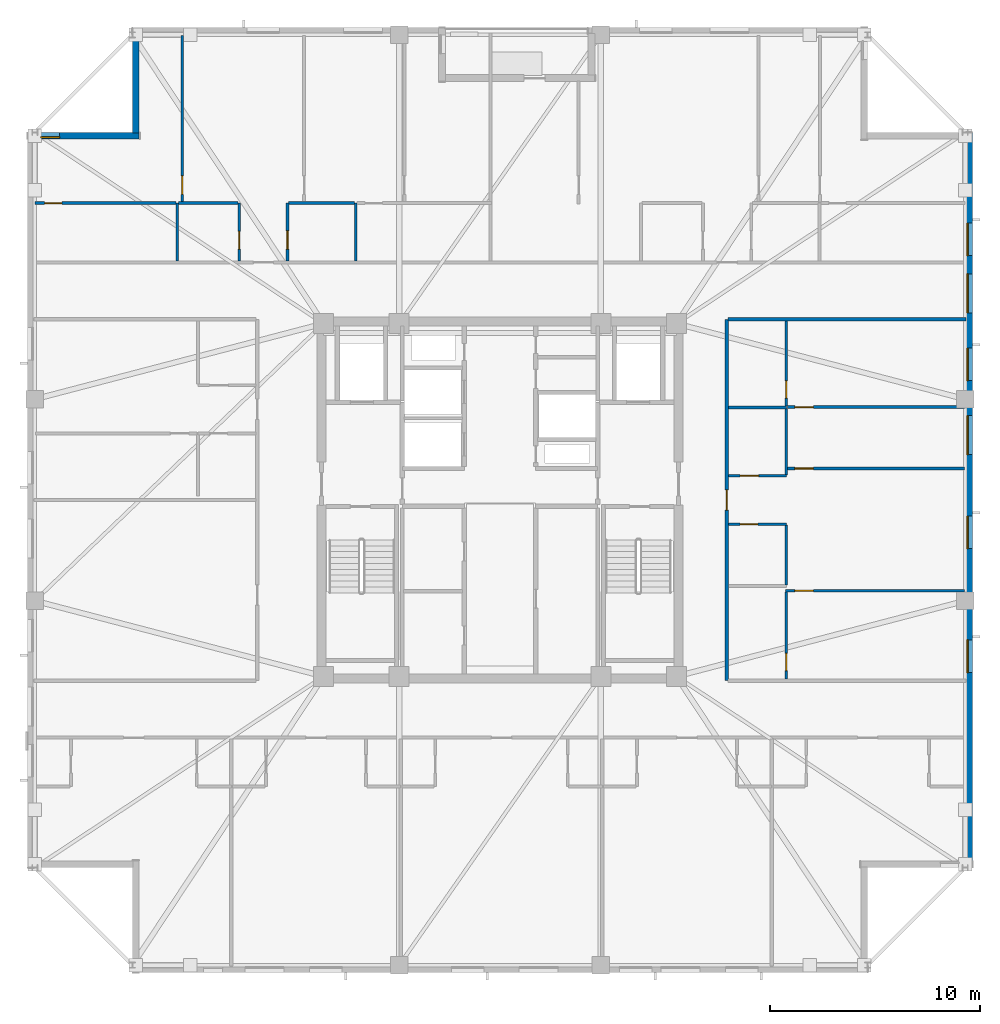
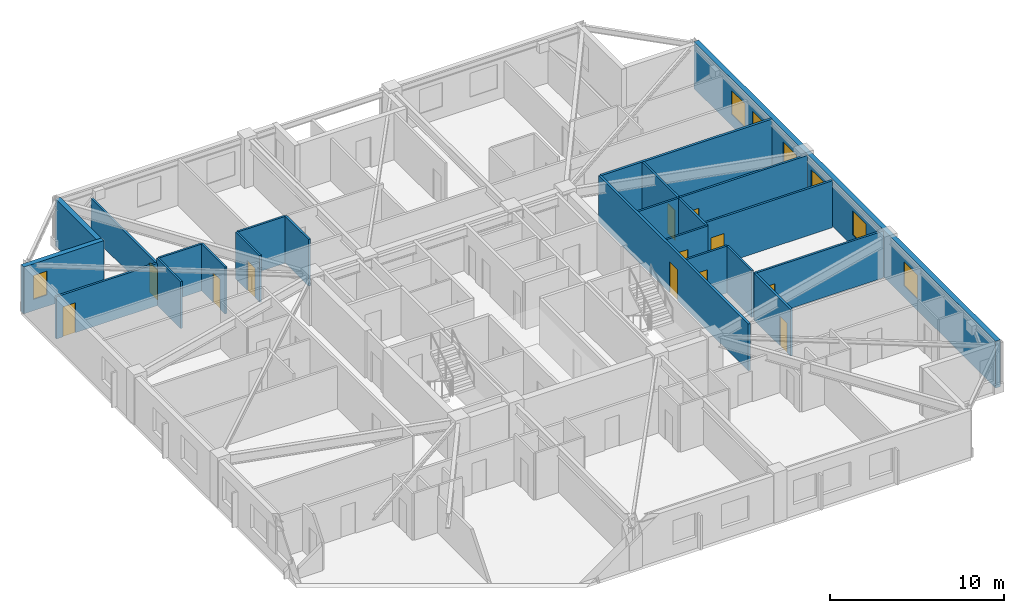
# One storey, part 10 of 17: 23 walls, 12 doors, 7 windows, 19 openings.
"""IFC4 building model written with IfcOpenShell, lengths in metres."""

from ifc_helpers import new_model, si_unit, direction, frame, frame_2d, origin, place, context, subcontext, project, spatial, rectangle, extrude, material, layer, layer_set, type_object, element, fill, save


model = new_model("IFC4")

# Units and contexts
model_context = context("Model", 3, precision=1e-05, world=origin(), true_north=direction((0.0, 1.0)))
body_context = subcontext(model_context, "Body", "Model", "MODEL_VIEW")
ifc_project = project(units=[si_unit("LENGTHUNIT", "METRE"), si_unit("AREAUNIT", "SQUARE_METRE"), si_unit("VOLUMEUNIT", "CUBIC_METRE"), si_unit("PLANEANGLEUNIT", "RADIAN"), si_unit("MASSUNIT", "GRAM", prefix="KILO")], contexts=[model_context])

# Site, building, storey
site_placement = place(None, origin())
site = spatial("IfcSite", under=ifc_project, at=site_placement, CompositionType="ELEMENT")
building_placement = place(site_placement, origin())
building = spatial("IfcBuilding", under=site, at=building_placement, Name="Cairnveth Concourse Tower", CompositionType="ELEMENT")
storey_placement = place(building_placement, frame((0.0, 0.0, 213.0)))
storey = spatial("IfcBuildingStorey", under=building, at=storey_placement, Name="L58", CompositionType="ELEMENT", Elevation=213.0)

# Wall, opening, door
ifc_material_1 = material(Name="Gypsum Plasterboard Partition", Category="gypsum")
ifc_layer_1 = layer(ifc_material_1, 0.159912109375)
ifc_layer_set_1 = layer_set([ifc_layer_1], Name="Gypsum Plasterboard Partition")
wall_type_1 = type_object("IfcWallType", Name="ACOUSTIC PARTY WALL 180", PredefinedType="PARTITIONING", material=ifc_layer_set_1)
wall_1_placement = place(storey_placement, frame((62.800048828125, 30.39990234375, 0.0), z_axis=(0.0, 0.0, 1.0), x_axis=(0.0, 1.0, 0.0)))
wall_1 = element("IfcWall", 1, at=wall_1_placement, inside=storey, type_object=wall_type_1, Name="Interior Wall IW-L58-038", PredefinedType="PARTITIONING", context=body_context, shape_type="SweptSolid", body=[
    extrude(rectangle(XDim=17.2001953125, YDim=0.159912109375, at=frame_2d((8.60009765625, 0.0))), origin(), (0.0, 0.0, 1.0), 3.2900390625),
])
opening_1_placement = place(wall_1_placement, frame((8.1201171875, 0.0, 0.0)))
opening_1 = element("IfcOpeningElement", 2, at=opening_1_placement, cuts=wall_1, Name="Opening ID10", PredefinedType="OPENING", context=body_context, shape_type="SweptSolid", body=[
    extrude(rectangle(XDim=0.9599609375, YDim=2.179931640625, at=frame_2d((0.47998046875, 1.08984375))), frame((0.0, 0.08984375, 0.0), z_axis=(0.0, -1.0, 0.0), x_axis=(1.0, 0.0, 0.0)), (0.0, 0.0, 1.0), 0.179931640625),
])
ifc_material_2 = material(Name="Solid Core Hardwood Timber Leaf", Category="wood")
door_type_1 = type_object("IfcDoorType", Name="FLAT ENTRANCE DOOR 960X2150", OperationType="NOTDEFINED", PredefinedType="DOOR", material=ifc_material_2)
door_1_placement = place(opening_1_placement, origin())
door_1 = element("IfcDoor", 3, at=door_1_placement, inside=storey, type_object=door_type_1, Name="Apartment L58E1 Entrance Door", OperationType="SINGLE_SWING_RIGHT", OverallHeight=2.179931640625, OverallWidth=0.9599609375, PredefinedType="DOOR", context=body_context, shape_type="SweptSolid", body=[
    extrude(rectangle(XDim=0.9599609375, YDim=2.179931640625, at=frame_2d((0.47998046875, 1.08984375))), frame((0.0, 0.02490234375, 0.0), z_axis=(0.0, -1.0, 0.0), x_axis=(1.0, 0.0, 0.0)), (0.0, 0.0, 1.0), 0.050048828125),
])
fill(opening_1, door_1)

# Wall
wall_2_placement = place(storey_placement, frame((62.864990234375, 47.60009765625, 0.0), z_axis=(0.0, 0.0, 1.0), x_axis=(1.0, 0.0, 0.0)))
element("IfcWall", 4, at=wall_2_placement, inside=storey, type_object=wall_type_1, Name="Interior Wall IW-L58-042", PredefinedType="PARTITIONING", context=body_context, shape_type="SweptSolid", body=[
    extrude(rectangle(XDim=11.330078125, YDim=0.159912109375, at=frame_2d((5.6650390625, 0.0))), origin(), (0.0, 0.0, 1.0), 3.2900390625),
])

# Wall, opening, door
ifc_layer_2 = layer(ifc_material_1, 0.139892578125)
ifc_layer_set_2 = layer_set([ifc_layer_2], Name="Gypsum Plasterboard Partition")
wall_type_2 = type_object("IfcWallType", Name="GYPSUM STUD PARTITION 140", PredefinedType="PARTITIONING", material=ifc_layer_set_2)
wall_3_placement = place(storey_placement, frame((36.8701171875, 53.18994140625, 0.0), z_axis=(0.0, 0.0, 1.0), x_axis=(0.0, 1.0, 0.0)))
wall_3 = element("IfcWall", 5, at=wall_3_placement, inside=storey, type_object=wall_type_2, Name="Interior Wall IW-L58-073", PredefinedType="PARTITIONING", context=body_context, shape_type="SweptSolid", body=[
    extrude(rectangle(XDim=7.93017578125, YDim=0.139892578125, at=frame_2d((3.965087890625, 0.0))), origin(), (0.0, 0.0, 1.0), 2.572998046875),
])
opening_2_placement = place(wall_3_placement, frame((0.360107421875, 0.0, 0.0)))
opening_2 = element("IfcOpeningElement", 6, at=opening_2_placement, cuts=wall_3, Name="Opening ID18", PredefinedType="OPENING", context=body_context, shape_type="SweptSolid", body=[
    extrude(rectangle(XDim=0.8798828125, YDim=2.10009765625, at=frame_2d((0.43994140625, 1.050048828125))), frame((0.0, 0.079833984375, 0.0), z_axis=(0.0, -1.0, 0.0), x_axis=(1.0, 0.0, 0.0)), (0.0, 0.0, 1.0), 0.159912109375),
])
door_type_2 = type_object("IfcDoorType", Name="INTERIOR SINGLE DOOR 880X2100", OperationType="NOTDEFINED", PredefinedType="DOOR", material=ifc_material_2)
door_2_placement = place(opening_2_placement, origin())
door_2 = element("IfcDoor", 7, at=door_2_placement, inside=storey, type_object=door_type_2, Name="L58N1 Master Bedroom Door", OperationType="SINGLE_SWING_RIGHT", OverallHeight=2.10009765625, OverallWidth=0.8798828125, PredefinedType="DOOR", context=body_context, shape_type="SweptSolid", body=[
    extrude(rectangle(XDim=0.8798828125, YDim=2.10009765625, at=frame_2d((0.43994140625, 1.050048828125))), frame((0.0, 0.02490234375, 0.0), z_axis=(0.0, -1.0, 0.0), x_axis=(1.0, 0.0, 0.0)), (0.0, 0.0, 1.0), 0.050048828125),
])
fill(opening_2, door_2)

wall_4_placement = place(storey_placement, frame((29.8701171875, 53.139892578125, 0.0), z_axis=(0.0, 0.0, 1.0), x_axis=(1.0, 0.0, 0.0)))
wall_4 = element("IfcWall", 8, at=wall_4_placement, inside=storey, type_object=wall_type_2, Name="Interior Wall IW-L58-074", PredefinedType="PARTITIONING", context=body_context, shape_type="SweptSolid", body=[
    extrude(rectangle(XDim=6.71240234375, YDim=0.139892578125, at=frame_2d((3.356201171875, 0.0))), origin(), (0.0, 0.0, 1.0), 2.9580078125),
])
opening_3_placement = place(wall_4_placement, frame((0.449951171875, 0.0, 0.0)))
opening_3 = element("IfcOpeningElement", 9, at=opening_3_placement, cuts=wall_4, Name="Opening ID22", PredefinedType="OPENING", context=body_context, shape_type="SweptSolid", body=[
    extrude(rectangle(XDim=0.820068359375, YDim=2.10009765625, at=frame_2d((0.41015625, 1.050048828125))), frame((0.0, 0.079833984375, 0.0), z_axis=(0.0, -1.0, 0.0), x_axis=(1.0, 0.0, 0.0)), (0.0, 0.0, 1.0), 0.159912109375),
])
door_type_3 = type_object("IfcDoorType", Name="INTERIOR WC DOOR 820X2100", OperationType="NOTDEFINED", PredefinedType="DOOR", material=ifc_material_2)
door_3_placement = place(opening_3_placement, origin())
door_3 = element("IfcDoor", 10, at=door_3_placement, inside=storey, type_object=door_type_3, Name="L58N1 Dressing Door", OperationType="SINGLE_SWING_LEFT", OverallHeight=2.10009765625, OverallWidth=0.820068359375, PredefinedType="DOOR", context=body_context, shape_type="SweptSolid", body=[
    extrude(rectangle(XDim=0.820068359375, YDim=2.10009765625, at=frame_2d((0.41015625, 1.050048828125))), frame((0.0, 0.02490234375, 0.0), z_axis=(0.0, -1.0, 0.0), x_axis=(1.0, 0.0, 0.0)), (0.0, 0.0, 1.0), 0.050048828125),
])
fill(opening_3, door_3)

wall_5_placement = place(storey_placement, frame((65.590087890625, 34.679931640625, 0.0), z_axis=(0.0, 0.0, 1.0), x_axis=(1.0, 0.0, 0.0)))
wall_5 = element("IfcWall", 11, at=wall_5_placement, inside=storey, type_object=wall_type_2, Name="Interior Wall IW-L58-101", PredefinedType="PARTITIONING", context=body_context, shape_type="SweptSolid", body=[
    extrude(rectangle(XDim=8.530029296875, YDim=0.139892578125, at=frame_2d((4.26513671875, 0.0))), origin(), (0.0, 0.0, 1.0), 3.2900390625),
])
opening_4_placement = place(wall_5_placement, frame((0.449951171875, 0.0, 0.0)))
opening_4 = element("IfcOpeningElement", 12, at=opening_4_placement, cuts=wall_5, Name="Opening ID18", PredefinedType="OPENING", context=body_context, shape_type="SweptSolid", body=[
    extrude(rectangle(XDim=0.8798828125, YDim=2.10009765625, at=frame_2d((0.43994140625, 1.050048828125))), frame((0.0, 0.079833984375, 0.0), z_axis=(0.0, -1.0, 0.0), x_axis=(1.0, 0.0, 0.0)), (0.0, 0.0, 1.0), 0.159912109375),
])
door_4_placement = place(opening_4_placement, origin())
door_4 = element("IfcDoor", 13, at=door_4_placement, inside=storey, type_object=door_type_2, Name="L58E1 Master Bedroom Door", OperationType="SINGLE_SWING_RIGHT", OverallHeight=2.10009765625, OverallWidth=0.8798828125, PredefinedType="DOOR", context=body_context, shape_type="SweptSolid", body=[
    extrude(rectangle(XDim=0.8798828125, YDim=2.10009765625, at=frame_2d((0.43994140625, 1.050048828125))), frame((0.0, 0.02490234375, 0.0), z_axis=(0.0, -1.0, 0.0), x_axis=(1.0, 0.0, 0.0)), (0.0, 0.0, 1.0), 0.050048828125),
])
fill(opening_4, door_4)

wall_6_placement = place(storey_placement, frame((65.6298828125, 30.465087890625, 0.0), z_axis=(0.0, 0.0, 1.0), x_axis=(0.0, 1.0, 0.0)))
wall_6 = element("IfcWall", 14, at=wall_6_placement, inside=storey, type_object=wall_type_2, Name="Interior Wall IW-L58-102", PredefinedType="PARTITIONING", context=body_context, shape_type="SweptSolid", body=[
    extrude(rectangle(XDim=4.159912109375, YDim=0.139892578125, at=frame_2d((2.080078125, 0.0))), origin(), (0.0, 0.0, 1.0), 3.2900390625),
])
opening_5_placement = place(wall_6_placement, frame((0.4150390625, 0.0, 0.0)))
opening_5 = element("IfcOpeningElement", 15, at=opening_5_placement, cuts=wall_6, Name="Opening ID22", PredefinedType="OPENING", context=body_context, shape_type="SweptSolid", body=[
    extrude(rectangle(XDim=0.820068359375, YDim=2.10009765625, at=frame_2d((0.41015625, 1.050048828125))), frame((0.0, 0.079833984375, 0.0), z_axis=(0.0, -1.0, 0.0), x_axis=(1.0, 0.0, 0.0)), (0.0, 0.0, 1.0), 0.159912109375),
])
door_5_placement = place(opening_5_placement, origin())
door_5 = element("IfcDoor", 16, at=door_5_placement, inside=storey, type_object=door_type_3, Name="L58E1 Dressing Door", OperationType="SINGLE_SWING_LEFT", OverallHeight=2.10009765625, OverallWidth=0.820068359375, PredefinedType="DOOR", context=body_context, shape_type="SweptSolid", body=[
    extrude(rectangle(XDim=0.820068359375, YDim=2.10009765625, at=frame_2d((0.41015625, 1.050048828125))), frame((0.0, 0.02490234375, 0.0), z_axis=(0.0, -1.0, 0.0), x_axis=(1.0, 0.0, 0.0)), (0.0, 0.0, 1.0), 0.050048828125),
])
fill(opening_5, door_5)

wall_7_placement = place(storey_placement, frame((65.679931640625, 43.419921875, 0.0), z_axis=(0.0, 0.0, 1.0), x_axis=(1.0, 0.0, 0.0)))
wall_7 = element("IfcWall", 17, at=wall_7_placement, inside=storey, type_object=wall_type_2, Name="Interior Wall IW-L58-103", PredefinedType="PARTITIONING", context=body_context, shape_type="SweptSolid", body=[
    extrude(rectangle(XDim=8.440185546875, YDim=0.139892578125, at=frame_2d((4.22021484375, 0.0))), origin(), (0.0, 0.0, 1.0), 3.2900390625),
])
opening_6_placement = place(wall_7_placement, frame((0.360107421875, 0.0, 0.0)))
opening_6 = element("IfcOpeningElement", 18, at=opening_6_placement, cuts=wall_7, Name="Opening ID18", PredefinedType="OPENING", context=body_context, shape_type="SweptSolid", body=[
    extrude(rectangle(XDim=0.8798828125, YDim=2.10009765625, at=frame_2d((0.43994140625, 1.050048828125))), frame((0.0, 0.079833984375, 0.0), z_axis=(0.0, -1.0, 0.0), x_axis=(1.0, 0.0, 0.0)), (0.0, 0.0, 1.0), 0.159912109375),
])
door_6_placement = place(opening_6_placement, origin())
door_6 = element("IfcDoor", 19, at=door_6_placement, inside=storey, type_object=door_type_2, Name="L58E1 Bedroom 2 Door", OperationType="SINGLE_SWING_RIGHT", OverallHeight=2.10009765625, OverallWidth=0.8798828125, PredefinedType="DOOR", context=body_context, shape_type="SweptSolid", body=[
    extrude(rectangle(XDim=0.8798828125, YDim=2.10009765625, at=frame_2d((0.43994140625, 1.050048828125))), frame((0.0, 0.02490234375, 0.0), z_axis=(0.0, -1.0, 0.0), x_axis=(1.0, 0.0, 0.0)), (0.0, 0.0, 1.0), 0.050048828125),
])
fill(opening_6, door_6)

wall_8_placement = place(storey_placement, frame((65.6298828125, 43.47509765625, 0.0), z_axis=(0.0, 0.0, 1.0), x_axis=(0.0, 1.0, 0.0)))
wall_8 = element("IfcWall", 20, at=wall_8_placement, inside=storey, type_object=wall_type_2, Name="Interior Wall IW-L58-104", PredefinedType="PARTITIONING", context=body_context, shape_type="SweptSolid", body=[
    extrude(rectangle(XDim=4.059814453125, YDim=0.139892578125, at=frame_2d((2.02978515625, 0.0))), origin(), (0.0, 0.0, 1.0), 3.2900390625),
])
opening_7_placement = place(wall_8_placement, frame((0.375, 0.0, 0.0)))
opening_7 = element("IfcOpeningElement", 21, at=opening_7_placement, cuts=wall_8, Name="Opening ID22", PredefinedType="OPENING", context=body_context, shape_type="SweptSolid", body=[
    extrude(rectangle(XDim=0.820068359375, YDim=2.10009765625, at=frame_2d((0.41015625, 1.050048828125))), frame((0.0, 0.079833984375, 0.0), z_axis=(0.0, -1.0, 0.0), x_axis=(1.0, 0.0, 0.0)), (0.0, 0.0, 1.0), 0.159912109375),
])
door_7_placement = place(opening_7_placement, origin())
door_7 = element("IfcDoor", 22, at=door_7_placement, inside=storey, type_object=door_type_3, Name="L58E1 Utility Door", OperationType="SINGLE_SWING_LEFT", OverallHeight=2.10009765625, OverallWidth=0.820068359375, PredefinedType="DOOR", context=body_context, shape_type="SweptSolid", body=[
    extrude(rectangle(XDim=0.820068359375, YDim=2.10009765625, at=frame_2d((0.41015625, 1.050048828125))), frame((0.0, 0.02490234375, 0.0), z_axis=(0.0, -1.0, 0.0), x_axis=(1.0, 0.0, 0.0)), (0.0, 0.0, 1.0), 0.050048828125),
])
fill(opening_7, door_7)

wall_9_placement = place(storey_placement, frame((65.679931640625, 40.5, 0.0), z_axis=(0.0, 0.0, 1.0), x_axis=(1.0, 0.0, 0.0)))
wall_9 = element("IfcWall", 23, at=wall_9_placement, inside=storey, type_object=wall_type_2, Name="Interior Wall IW-L58-105", PredefinedType="PARTITIONING", context=body_context, shape_type="SweptSolid", body=[
    extrude(rectangle(XDim=8.440185546875, YDim=0.139892578125, at=frame_2d((4.22021484375, 0.0))), origin(), (0.0, 0.0, 1.0), 3.2900390625),
])
opening_8_placement = place(wall_9_placement, frame((0.360107421875, 0.0, 0.0)))
opening_8 = element("IfcOpeningElement", 24, at=opening_8_placement, cuts=wall_9, Name="Opening ID18", PredefinedType="OPENING", context=body_context, shape_type="SweptSolid", body=[
    extrude(rectangle(XDim=0.8798828125, YDim=2.10009765625, at=frame_2d((0.43994140625, 1.050048828125))), frame((0.0, 0.079833984375, 0.0), z_axis=(0.0, -1.0, 0.0), x_axis=(1.0, 0.0, 0.0)), (0.0, 0.0, 1.0), 0.159912109375),
])
door_8_placement = place(opening_8_placement, origin())
door_8 = element("IfcDoor", 25, at=door_8_placement, inside=storey, type_object=door_type_2, Name="L58E1 Media Lounge Door", OperationType="SINGLE_SWING_LEFT", OverallHeight=2.10009765625, OverallWidth=0.8798828125, PredefinedType="DOOR", context=body_context, shape_type="SweptSolid", body=[
    extrude(rectangle(XDim=0.8798828125, YDim=2.10009765625, at=frame_2d((0.43994140625, 1.050048828125))), frame((0.0, 0.02490234375, 0.0), z_axis=(0.0, -1.0, 0.0), x_axis=(1.0, 0.0, 0.0)), (0.0, 0.0, 1.0), 0.050048828125),
])
fill(opening_8, door_8)

# Wall
ifc_layer_3 = layer(ifc_material_1, 0.1298828125)
ifc_layer_set_3 = layer_set([ifc_layer_3], Name="Gypsum Plasterboard Partition")
wall_type_3 = type_object("IfcWallType", Name="WET AREA PARTITION 140", PredefinedType="PLUMBINGWALL", material=ifc_layer_set_3)
wall_10_placement = place(storey_placement, frame((36.632568359375, 50.389892578125, 0.0), z_axis=(0.0, 0.0, 1.0), x_axis=(0.0, 1.0, 0.0)))
element("IfcWall", 26, at=wall_10_placement, inside=storey, type_object=wall_type_3, Name="Interior Wall IW-L58-067", PredefinedType="PLUMBINGWALL", context=body_context, shape_type="SweptSolid", body=[
    extrude(rectangle(XDim=2.75, YDim=0.1298828125, at=frame_2d((1.375, 0.0))), origin(), (0.0, 0.0, 1.0), 3.2900390625),
])

# Wall, opening, door
wall_11_placement = place(storey_placement, frame((39.58251953125, 50.389892578125, 0.0), z_axis=(0.0, 0.0, 1.0), x_axis=(0.0, 1.0, 0.0)))
wall_11 = element("IfcWall", 27, at=wall_11_placement, inside=storey, type_object=wall_type_3, Name="Interior Wall IW-L58-068", PredefinedType="PLUMBINGWALL", context=body_context, shape_type="SweptSolid", body=[
    extrude(rectangle(XDim=2.75, YDim=0.1298828125, at=frame_2d((1.375, 0.0))), origin(), (0.0, 0.0, 1.0), 3.2900390625),
])
opening_9_placement = place(wall_11_placement, frame((0.550048828125, 0.0, 0.0)))
opening_9 = element("IfcOpeningElement", 28, at=opening_9_placement, cuts=wall_11, Name="Opening ID21", PredefinedType="OPENING", context=body_context, shape_type="SweptSolid", body=[
    extrude(rectangle(XDim=0.85009765625, YDim=2.080078125, at=frame_2d((0.425048828125, 1.0400390625))), frame((0.0, 0.074951171875, 0.0), z_axis=(0.0, -1.0, 0.0), x_axis=(1.0, 0.0, 0.0)), (0.0, 0.0, 1.0), 0.14990234375),
])
door_type_4 = type_object("IfcDoorType", Name="INTERIOR WC DOOR 850X2100", OperationType="NOTDEFINED", PredefinedType="DOOR", material=ifc_material_2)
door_9_placement = place(opening_9_placement, origin())
door_9 = element("IfcDoor", 29, at=door_9_placement, inside=storey, type_object=door_type_4, Name="L58N1 Bathroom Door", OperationType="SINGLE_SWING_LEFT", OverallHeight=2.080078125, OverallWidth=0.85009765625, PredefinedType="DOOR", context=body_context, shape_type="SweptSolid", body=[
    extrude(rectangle(XDim=0.85009765625, YDim=2.080078125, at=frame_2d((0.425048828125, 1.0400390625))), frame((0.0, 0.02490234375, 0.0), z_axis=(0.0, -1.0, 0.0), x_axis=(1.0, 0.0, 0.0)), (0.0, 0.0, 1.0), 0.050048828125),
])
fill(opening_9, door_9)

# Walls
wall_12_placement = place(storey_placement, frame((36.6826171875, 53.139892578125, 0.0), z_axis=(0.0, 0.0, 1.0), x_axis=(1.0, 0.0, 0.0)))
element("IfcWall", 30, at=wall_12_placement, inside=storey, type_object=wall_type_3, Name="Interior Wall IW-L58-069", PredefinedType="PLUMBINGWALL", context=body_context, shape_type="SweptSolid", body=[
    extrude(rectangle(XDim=2.849853515625, YDim=0.1298828125, at=frame_2d((1.4248046875, 0.0))), origin(), (0.0, 0.0, 1.0), 3.2900390625),
])
wall_13_placement = place(storey_placement, frame((45.132568359375, 50.389892578125, 0.0), z_axis=(0.0, 0.0, 1.0), x_axis=(0.0, 1.0, 0.0)))
element("IfcWall", 31, at=wall_13_placement, inside=storey, type_object=wall_type_3, Name="Interior Wall IW-L58-070", PredefinedType="PLUMBINGWALL", context=body_context, shape_type="SweptSolid", body=[
    extrude(rectangle(XDim=2.75, YDim=0.1298828125, at=frame_2d((1.375, 0.0))), origin(), (0.0, 0.0, 1.0), 3.2900390625),
])

# Wall, opening, door
wall_14_placement = place(storey_placement, frame((41.882568359375, 50.389892578125, 0.0), z_axis=(0.0, 0.0, 1.0), x_axis=(0.0, 1.0, 0.0)))
wall_14 = element("IfcWall", 32, at=wall_14_placement, inside=storey, type_object=wall_type_3, Name="Interior Wall IW-L58-071", PredefinedType="PLUMBINGWALL", context=body_context, shape_type="SweptSolid", body=[
    extrude(rectangle(XDim=2.75, YDim=0.1298828125, at=frame_2d((1.375, 0.0))), origin(), (0.0, 0.0, 1.0), 3.2900390625),
])
opening_10_placement = place(wall_14_placement, frame((0.550048828125, 0.0, 0.0)))
opening_10 = element("IfcOpeningElement", 33, at=opening_10_placement, cuts=wall_14, Name="Opening ID18", PredefinedType="OPENING", context=body_context, shape_type="SweptSolid", body=[
    extrude(rectangle(XDim=0.8798828125, YDim=2.10009765625, at=frame_2d((0.43994140625, 1.050048828125))), frame((0.0, 0.074951171875, 0.0), z_axis=(0.0, -1.0, 0.0), x_axis=(1.0, 0.0, 0.0)), (0.0, 0.0, 1.0), 0.14990234375),
])
door_10_placement = place(opening_10_placement, origin())
door_10 = element("IfcDoor", 34, at=door_10_placement, inside=storey, type_object=door_type_2, Name="L58N1 Kitchen Door", OperationType="SINGLE_SWING_RIGHT", OverallHeight=2.10009765625, OverallWidth=0.8798828125, PredefinedType="DOOR", context=body_context, shape_type="SweptSolid", body=[
    extrude(rectangle(XDim=0.8798828125, YDim=2.10009765625, at=frame_2d((0.43994140625, 1.050048828125))), frame((0.0, 0.02490234375, 0.0), z_axis=(0.0, -1.0, 0.0), x_axis=(1.0, 0.0, 0.0)), (0.0, 0.0, 1.0), 0.050048828125),
])
fill(opening_10, door_10)

# Wall
wall_15_placement = place(storey_placement, frame((41.9326171875, 53.139892578125, 0.0), z_axis=(0.0, 0.0, 1.0), x_axis=(1.0, 0.0, 0.0)))
element("IfcWall", 35, at=wall_15_placement, inside=storey, type_object=wall_type_3, Name="Interior Wall IW-L58-072", PredefinedType="PLUMBINGWALL", context=body_context, shape_type="SweptSolid", body=[
    extrude(rectangle(XDim=3.14990234375, YDim=0.1298828125, at=frame_2d((1.574951171875, 0.0))), origin(), (0.0, 0.0, 1.0), 3.2900390625),
])

# Wall, opening, door
wall_16_placement = place(storey_placement, frame((62.8798828125, 37.85009765625, 0.0), z_axis=(0.0, 0.0, 1.0), x_axis=(1.0, 0.0, 0.0)))
wall_16 = element("IfcWall", 36, at=wall_16_placement, inside=storey, type_object=wall_type_3, Name="Interior Wall IW-L58-096", PredefinedType="PLUMBINGWALL", context=body_context, shape_type="SweptSolid", body=[
    extrude(rectangle(XDim=2.75, YDim=0.1298828125, at=frame_2d((1.375, 0.0))), origin(), (0.0, 0.0, 1.0), 3.2900390625),
])
opening_11_placement = place(wall_16_placement, frame((0.550048828125, 0.0, 0.0)))
opening_11 = element("IfcOpeningElement", 37, at=opening_11_placement, cuts=wall_16, Name="Opening ID21", PredefinedType="OPENING", context=body_context, shape_type="SweptSolid", body=[
    extrude(rectangle(XDim=0.85009765625, YDim=2.080078125, at=frame_2d((0.425048828125, 1.0400390625))), frame((0.0, 0.074951171875, 0.0), z_axis=(0.0, -1.0, 0.0), x_axis=(1.0, 0.0, 0.0)), (0.0, 0.0, 1.0), 0.14990234375),
])
door_11_placement = place(opening_11_placement, origin())
door_11 = element("IfcDoor", 38, at=door_11_placement, inside=storey, type_object=door_type_4, Name="L58E1 Bathroom Door", OperationType="SINGLE_SWING_LEFT", OverallHeight=2.080078125, OverallWidth=0.85009765625, PredefinedType="DOOR", context=body_context, shape_type="SweptSolid", body=[
    extrude(rectangle(XDim=0.85009765625, YDim=2.080078125, at=frame_2d((0.425048828125, 1.0400390625))), frame((0.0, 0.02490234375, 0.0), z_axis=(0.0, -1.0, 0.0), x_axis=(1.0, 0.0, 0.0)), (0.0, 0.0, 1.0), 0.050048828125),
])
fill(opening_11, door_11)

# Walls
wall_17_placement = place(storey_placement, frame((65.6298828125, 34.949951171875, 0.0), z_axis=(0.0, 0.0, 1.0), x_axis=(0.0, 1.0, 0.0)))
element("IfcWall", 39, at=wall_17_placement, inside=storey, type_object=wall_type_3, Name="Interior Wall IW-L58-097", PredefinedType="PLUMBINGWALL", context=body_context, shape_type="SweptSolid", body=[
    extrude(rectangle(XDim=2.85009765625, YDim=0.1298828125, at=frame_2d((1.425048828125, 0.0))), origin(), (0.0, 0.0, 1.0), 3.2900390625),
])
wall_18_placement = place(storey_placement, frame((62.8798828125, 43.39990234375, 0.0), z_axis=(0.0, 0.0, 1.0), x_axis=(1.0, 0.0, 0.0)))
element("IfcWall", 40, at=wall_18_placement, inside=storey, type_object=wall_type_3, Name="Interior Wall IW-L58-098", PredefinedType="PLUMBINGWALL", context=body_context, shape_type="SweptSolid", body=[
    extrude(rectangle(XDim=2.75, YDim=0.1298828125, at=frame_2d((1.375, 0.0))), origin(), (0.0, 0.0, 1.0), 3.2900390625),
])

# Wall, opening, door
wall_19_placement = place(storey_placement, frame((62.8798828125, 40.14990234375, 0.0), z_axis=(0.0, 0.0, 1.0), x_axis=(1.0, 0.0, 0.0)))
wall_19 = element("IfcWall", 41, at=wall_19_placement, inside=storey, type_object=wall_type_3, Name="Interior Wall IW-L58-099", PredefinedType="PLUMBINGWALL", context=body_context, shape_type="SweptSolid", body=[
    extrude(rectangle(XDim=2.75, YDim=0.1298828125, at=frame_2d((1.375, 0.0))), origin(), (0.0, 0.0, 1.0), 3.2900390625),
])
opening_12_placement = place(wall_19_placement, frame((0.550048828125, 0.0, 0.0)))
opening_12 = element("IfcOpeningElement", 42, at=opening_12_placement, cuts=wall_19, Name="Opening ID18", PredefinedType="OPENING", context=body_context, shape_type="SweptSolid", body=[
    extrude(rectangle(XDim=0.8798828125, YDim=2.10009765625, at=frame_2d((0.43994140625, 1.050048828125))), frame((0.0, 0.074951171875, 0.0), z_axis=(0.0, -1.0, 0.0), x_axis=(1.0, 0.0, 0.0)), (0.0, 0.0, 1.0), 0.14990234375),
])
door_12_placement = place(opening_12_placement, origin())
door_12 = element("IfcDoor", 43, at=door_12_placement, inside=storey, type_object=door_type_2, Name="L58E1 Kitchen Door", OperationType="SINGLE_SWING_RIGHT", OverallHeight=2.10009765625, OverallWidth=0.8798828125, PredefinedType="DOOR", context=body_context, shape_type="SweptSolid", body=[
    extrude(rectangle(XDim=0.8798828125, YDim=2.10009765625, at=frame_2d((0.43994140625, 1.050048828125))), frame((0.0, 0.02490234375, 0.0), z_axis=(0.0, -1.0, 0.0), x_axis=(1.0, 0.0, 0.0)), (0.0, 0.0, 1.0), 0.050048828125),
])
fill(opening_12, door_12)

# Wall
wall_20_placement = place(storey_placement, frame((65.6298828125, 40.199951171875, 0.0), z_axis=(0.0, 0.0, 1.0), x_axis=(0.0, 1.0, 0.0)))
element("IfcWall", 44, at=wall_20_placement, inside=storey, type_object=wall_type_3, Name="Interior Wall IW-L58-100", PredefinedType="PLUMBINGWALL", context=body_context, shape_type="SweptSolid", body=[
    extrude(rectangle(XDim=3.150146484375, YDim=0.1298828125, at=frame_2d((1.5751953125, 0.0))), origin(), (0.0, 0.0, 1.0), 3.2900390625),
])

# Wall, openings, windows
ifc_material_3 = material(Name="Melbourne Buff Fired Clay Brick Masonry", Category="masonry")
ifc_layer_4 = layer(ifc_material_3, 0.320068359375)
ifc_layer_set_4 = layer_set([ifc_layer_4], Name="Melbourne Buff Fired Clay Brick Masonry")
wall_type_4 = type_object("IfcWallType", Name="ZONE 3 BRICK PIER SPANDREL WALL 320", PredefinedType="SOLIDWALL", material=ifc_layer_set_4)
wall_21_placement = place(storey_placement, frame((74.340087890625, 56.5, 0.0), z_axis=(0.0, 0.0, 1.0), x_axis=(0.0, -1.0, 0.0)))
wall_21 = element("IfcWall", 45, at=wall_21_placement, inside=storey, type_object=wall_type_4, Name="Exterior Wall EW-L58-S03", PredefinedType="SOLIDWALL", context=body_context, shape_type="SweptSolid", body=[
    extrude(rectangle(XDim=34.701904296875, YDim=0.320068359375, at=frame_2d((17.35107421875, 0.0))), origin(), (0.0, 0.0, 1.0), 3.2900390625),
])
opening_13_placement = place(wall_21_placement, frame((4.3125, 0.0, 0.800048828125)))
opening_13 = element("IfcOpeningElement", 46, at=opening_13_placement, cuts=wall_21, Name="Opening W07", PredefinedType="OPENING", context=body_context, shape_type="SweptSolid", body=[
    extrude(rectangle(XDim=1.550048828125, YDim=1.677978515625, at=frame_2d((0.77490234375, 0.8388671875))), frame((0.0, 0.169921875, 0.0), z_axis=(0.0, -1.0, 0.0), x_axis=(1.0, 0.0, 0.0)), (0.0, 0.0, 1.0), 0.340087890625),
])
opening_14_placement = place(wall_21_placement, frame((6.73779296875, 0.0, 0.800048828125)))
opening_14 = element("IfcOpeningElement", 47, at=opening_14_placement, cuts=wall_21, Name="Opening W08", PredefinedType="OPENING", context=body_context, shape_type="SweptSolid", body=[
    extrude(rectangle(XDim=1.85009765625, YDim=1.677978515625, at=frame_2d((0.925048828125, 0.8388671875))), frame((0.0, 0.169921875, 0.0), z_axis=(0.0, -1.0, 0.0), x_axis=(1.0, 0.0, 0.0)), (0.0, 0.0, 1.0), 0.340087890625),
])
opening_15_placement = place(wall_21_placement, frame((10.26318359375, 0.0, 0.800048828125)))
opening_15 = element("IfcOpeningElement", 48, at=opening_15_placement, cuts=wall_21, Name="Opening W07", PredefinedType="OPENING", context=body_context, shape_type="SweptSolid", body=[
    extrude(rectangle(XDim=1.550048828125, YDim=1.677978515625, at=frame_2d((0.77490234375, 0.8388671875))), frame((0.0, 0.169921875, 0.0), z_axis=(0.0, -1.0, 0.0), x_axis=(1.0, 0.0, 0.0)), (0.0, 0.0, 1.0), 0.340087890625),
])
opening_16_placement = place(wall_21_placement, frame((13.48828125, 0.0, 0.800048828125)))
opening_16 = element("IfcOpeningElement", 49, at=opening_16_placement, cuts=wall_21, Name="Opening W08", PredefinedType="OPENING", context=body_context, shape_type="SweptSolid", body=[
    extrude(rectangle(XDim=1.85009765625, YDim=1.677978515625, at=frame_2d((0.925048828125, 0.8388671875))), frame((0.0, 0.169921875, 0.0), z_axis=(0.0, -1.0, 0.0), x_axis=(1.0, 0.0, 0.0)), (0.0, 0.0, 1.0), 0.340087890625),
])
opening_17_placement = place(wall_21_placement, frame((18.263671875, 0.0, 0.800048828125)))
opening_17 = element("IfcOpeningElement", 50, at=opening_17_placement, cuts=wall_21, Name="Opening W07", PredefinedType="OPENING", context=body_context, shape_type="SweptSolid", body=[
    extrude(rectangle(XDim=1.550048828125, YDim=1.677978515625, at=frame_2d((0.77490234375, 0.8388671875))), frame((0.0, 0.169921875, 0.0), z_axis=(0.0, -1.0, 0.0), x_axis=(1.0, 0.0, 0.0)), (0.0, 0.0, 1.0), 0.340087890625),
])
opening_18_placement = place(wall_21_placement, frame((24.1640625, 0.0, 0.800048828125)))
opening_18 = element("IfcOpeningElement", 51, at=opening_18_placement, cuts=wall_21, Name="Opening W07", PredefinedType="OPENING", context=body_context, shape_type="SweptSolid", body=[
    extrude(rectangle(XDim=1.550048828125, YDim=1.677978515625, at=frame_2d((0.77490234375, 0.8388671875))), frame((0.0, 0.169921875, 0.0), z_axis=(0.0, -1.0, 0.0), x_axis=(1.0, 0.0, 0.0)), (0.0, 0.0, 1.0), 0.340087890625),
])
ifc_material_4 = material(Name="Double Glazed Low-E Clear Glass", Category="glass")
window_type_1 = type_object("IfcWindowType", Name="DEEP-SET APARTMENT LIVING WINDOW 1850X1850", PartitioningType="DOUBLE_PANEL_VERTICAL", PredefinedType="WINDOW", material=ifc_material_4)
window_1_placement = place(opening_14_placement, origin())
window_1 = element("IfcWindow", 52, at=window_1_placement, inside=storey, type_object=window_type_1, Name="Gothic Lancet Window L58-3-2", OverallHeight=1.677978515625, OverallWidth=1.85009765625, PartitioningType="SINGLE_PANEL", PredefinedType="WINDOW", context=body_context, shape_type="SweptSolid", body=[
    extrude(rectangle(XDim=1.85009765625, YDim=1.677978515625, at=frame_2d((0.925048828125, 0.8388671875))), frame((0.0, -0.050048828125, 0.0), z_axis=(0.0, -1.0, 0.0), x_axis=(1.0, 0.0, 0.0)), (0.0, 0.0, 1.0), 0.06005859375),
])
fill(opening_14, window_1)
window_2_placement = place(opening_16_placement, origin())
window_2 = element("IfcWindow", 53, at=window_2_placement, inside=storey, type_object=window_type_1, Name="Gothic Lancet Window L58-3-4", OverallHeight=1.677978515625, OverallWidth=1.85009765625, PartitioningType="SINGLE_PANEL", PredefinedType="WINDOW", context=body_context, shape_type="SweptSolid", body=[
    extrude(rectangle(XDim=1.85009765625, YDim=1.677978515625, at=frame_2d((0.925048828125, 0.8388671875))), frame((0.0, -0.050048828125, 0.0), z_axis=(0.0, -1.0, 0.0), x_axis=(1.0, 0.0, 0.0)), (0.0, 0.0, 1.0), 0.06005859375),
])
fill(opening_16, window_2)
window_type_2 = type_object("IfcWindowType", Name="DEEP-SET APARTMENT WINDOW 1550X1800", PartitioningType="DOUBLE_PANEL_VERTICAL", PredefinedType="WINDOW", material=ifc_material_4)
window_3_placement = place(opening_13_placement, origin())
window_3 = element("IfcWindow", 54, at=window_3_placement, inside=storey, type_object=window_type_2, Name="Gothic Lancet Window L58-3-1", OverallHeight=1.677978515625, OverallWidth=1.550048828125, PartitioningType="SINGLE_PANEL", PredefinedType="WINDOW", context=body_context, shape_type="SweptSolid", body=[
    extrude(rectangle(XDim=1.550048828125, YDim=1.677978515625, at=frame_2d((0.77490234375, 0.8388671875))), frame((0.0, -0.050048828125, 0.0), z_axis=(0.0, -1.0, 0.0), x_axis=(1.0, 0.0, 0.0)), (0.0, 0.0, 1.0), 0.06005859375),
])
fill(opening_13, window_3)
window_4_placement = place(opening_15_placement, origin())
window_4 = element("IfcWindow", 55, at=window_4_placement, inside=storey, type_object=window_type_2, Name="Gothic Lancet Window L58-3-3", OverallHeight=1.677978515625, OverallWidth=1.550048828125, PartitioningType="SINGLE_PANEL", PredefinedType="WINDOW", context=body_context, shape_type="SweptSolid", body=[
    extrude(rectangle(XDim=1.550048828125, YDim=1.677978515625, at=frame_2d((0.77490234375, 0.8388671875))), frame((0.0, -0.050048828125, 0.0), z_axis=(0.0, -1.0, 0.0), x_axis=(1.0, 0.0, 0.0)), (0.0, 0.0, 1.0), 0.06005859375),
])
fill(opening_15, window_4)
window_5_placement = place(opening_17_placement, origin())
window_5 = element("IfcWindow", 56, at=window_5_placement, inside=storey, type_object=window_type_2, Name="Gothic Lancet Window L58-3-5", OverallHeight=1.677978515625, OverallWidth=1.550048828125, PartitioningType="SINGLE_PANEL", PredefinedType="WINDOW", context=body_context, shape_type="SweptSolid", body=[
    extrude(rectangle(XDim=1.550048828125, YDim=1.677978515625, at=frame_2d((0.77490234375, 0.8388671875))), frame((0.0, -0.050048828125, 0.0), z_axis=(0.0, -1.0, 0.0), x_axis=(1.0, 0.0, 0.0)), (0.0, 0.0, 1.0), 0.06005859375),
])
fill(opening_17, window_5)
window_6_placement = place(opening_18_placement, origin())
window_6 = element("IfcWindow", 57, at=window_6_placement, inside=storey, type_object=window_type_2, Name="Gothic Lancet Window L58-3-7", OverallHeight=1.677978515625, OverallWidth=1.550048828125, PartitioningType="SINGLE_PANEL", PredefinedType="WINDOW", context=body_context, shape_type="SweptSolid", body=[
    extrude(rectangle(XDim=1.550048828125, YDim=1.677978515625, at=frame_2d((0.77490234375, 0.8388671875))), frame((0.0, -0.050048828125, 0.0), z_axis=(0.0, -1.0, 0.0), x_axis=(1.0, 0.0, 0.0)), (0.0, 0.0, 1.0), 0.06005859375),
])
fill(opening_18, window_6)

# Wall, opening, window
wall_22_placement = place(storey_placement, frame((29.5, 56.340087890625, 0.0), z_axis=(0.0, 0.0, 1.0), x_axis=(1.0, 0.0, 0.0)))
wall_22 = element("IfcWall", 58, at=wall_22_placement, inside=storey, type_object=wall_type_4, Name="Exterior Wall EW-L58-S10", PredefinedType="SOLIDWALL", context=body_context, shape_type="SweptSolid", body=[
    extrude(rectangle(XDim=5.320068359375, YDim=0.320068359375, at=frame_2d((2.66015625, 0.0))), origin(), (0.0, 0.0, 1.0), 3.2900390625),
])
opening_19_placement = place(wall_22_placement, frame((0.6298828125, 0.0, 0.800048828125)))
opening_19 = element("IfcOpeningElement", 59, at=opening_19_placement, cuts=wall_22, Name="Opening W13", PredefinedType="OPENING", context=body_context, shape_type="SweptSolid", body=[
    extrude(rectangle(XDim=0.89990234375, YDim=1.677978515625, at=frame_2d((0.449951171875, 0.8388671875))), frame((0.0, 0.169921875, 0.0), z_axis=(0.0, -1.0, 0.0), x_axis=(1.0, 0.0, 0.0)), (0.0, 0.0, 1.0), 0.340087890625),
])
window_type_3 = type_object("IfcWindowType", Name="DEEP-SET BEDROOM LANCET WINDOW 900X1750", PartitioningType="DOUBLE_PANEL_VERTICAL", PredefinedType="WINDOW", material=ifc_material_4)
window_7_placement = place(opening_19_placement, origin())
window_7 = element("IfcWindow", 60, at=window_7_placement, inside=storey, type_object=window_type_3, Name="Dwelling Lancet Window L58-DW3", OverallHeight=1.677978515625, OverallWidth=0.89990234375, PartitioningType="SINGLE_PANEL", PredefinedType="WINDOW", context=body_context, shape_type="SweptSolid", body=[
    extrude(rectangle(XDim=0.89990234375, YDim=1.677978515625, at=frame_2d((0.449951171875, 0.8388671875))), frame((0.0, -0.0400390625, 0.0), z_axis=(0.0, -1.0, 0.0), x_axis=(1.0, 0.0, 0.0)), (0.0, 0.0, 1.0), 0.06005859375),
])
fill(opening_19, window_7)

# Wall
wall_23_placement = place(storey_placement, frame((34.659912109375, 56.47802734375, 0.0), z_axis=(0.0, 0.0, 1.0), x_axis=(0.0, 1.0, 0.0)))
element("IfcWall", 61, at=wall_23_placement, inside=storey, type_object=wall_type_4, Name="Exterior Wall EW-L58-S11", PredefinedType="SOLIDWALL", context=body_context, shape_type="SweptSolid", body=[
    extrude(rectangle(XDim=4.723876953125, YDim=0.320068359375, at=frame_2d((2.36181640625, 0.0))), origin(), (0.0, 0.0, 1.0), 3.2900390625),
])

save(model, "model.ifc")
